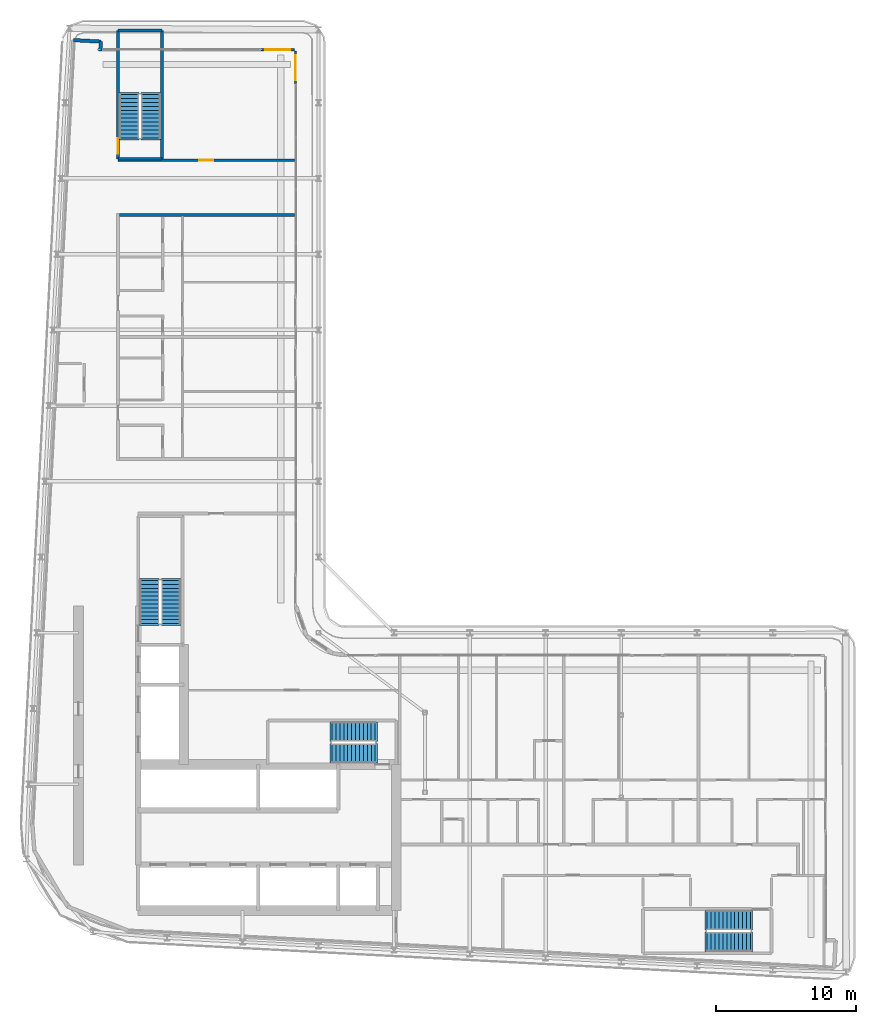
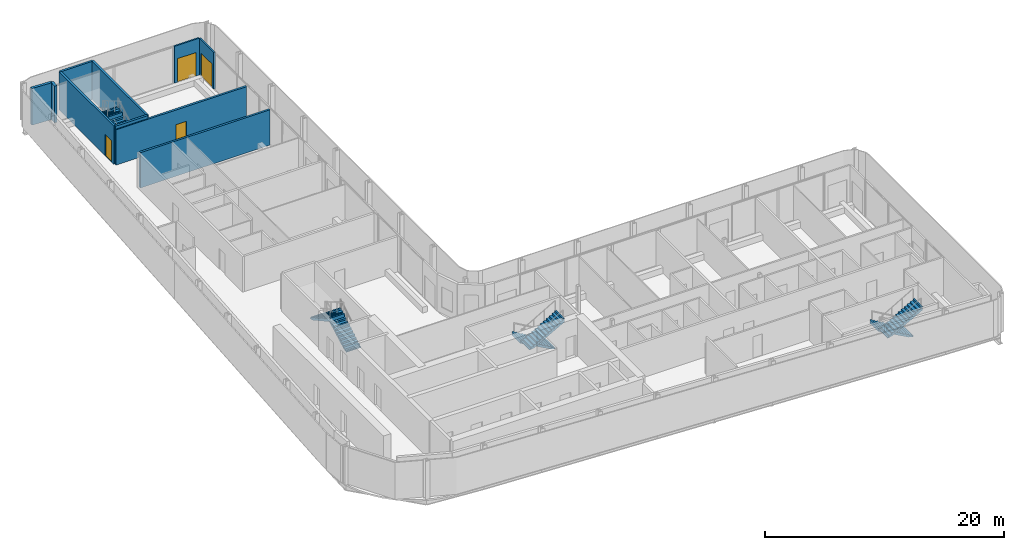
# One storey, part 14 of 21: 10 walls, 8 stair flights, 4 doors, 4 openings, 4 elements without a shape of their own.
"""IFC4 building model written with IfcOpenShell, lengths in metres."""

from ifc_helpers import new_model, si_unit, direction, frame, frame_2d, origin, place, context, subcontext, project, spatial, polyline, rectangle, outline, extrude, source, transform, mapped, material, layer, layer_set, type_object, element, fill, aggregate, save


model = new_model("IFC4")

# Units and contexts
model_context = context("Model", 3, precision=1e-05, world=origin(), true_north=direction((0.0, 1.0)))
body_context = subcontext(model_context, "Body", "Model", "MODEL_VIEW")
ifc_project = project(units=[si_unit("LENGTHUNIT", "METRE"), si_unit("AREAUNIT", "SQUARE_METRE"), si_unit("VOLUMEUNIT", "CUBIC_METRE"), si_unit("PLANEANGLEUNIT", "RADIAN"), si_unit("MASSUNIT", "GRAM", prefix="KILO")], contexts=[model_context])

# Site, building, storey
site_placement = place(None, origin())
site = spatial("IfcSite", under=ifc_project, at=site_placement, CompositionType="ELEMENT")
building_placement = place(site_placement, origin())
building = spatial("IfcBuilding", under=site, at=building_placement, Name="Kheshtan School and Residences Tower", CompositionType="ELEMENT")
storey_placement = place(building_placement, frame((0.0, 0.0, 220.10009765625)))
storey = spatial("IfcBuildingStorey", under=building, at=storey_placement, Name="L51", CompositionType="ELEMENT", Elevation=220.10009765625)

# Wall, opening, door
ifc_material_1 = material(Name="Gypsum board on steel studs with fire boards", Category="steel")
ifc_layer_1 = layer(ifc_material_1, 0.199951171875)
ifc_layer_set_1 = layer_set([ifc_layer_1], Name="Corridor wall 200")
wall_type_1 = type_object("IfcWallType", Name="Corridor wall 200", PredefinedType="PARTITIONING", material=ifc_layer_set_1)
wall_1_placement = place(storey_placement, frame((33.300048828125, 79.300048828125, 0.0), z_axis=(0.0, 0.0, 1.0), x_axis=(1.0, 0.0, 0.0)))
wall_1 = element("IfcWall", 1, at=wall_1_placement, inside=storey, type_object=wall_type_1, Name="Partition L51-002", PredefinedType="PARTITIONING", context=body_context, shape_type="SweptSolid", body=[
    extrude(rectangle(XDim=12.599853515625, YDim=0.199951171875, at=frame_2d((6.2998046875, 0.0))), origin(), (0.0, 0.0, 1.0), 3.599853515625),
])
opening_1_placement = place(wall_1_placement, frame((5.794921875, 0.0, 0.0)))
opening_1 = element("IfcOpeningElement", 2, at=opening_1_placement, cuts=wall_1, Name="Opening D50-038", PredefinedType="OPENING", context=body_context, shape_type="SweptSolid", body=[
    extrude(rectangle(XDim=1.0, YDim=2.10009765625, at=frame_2d((0.5, 1.050048828125))), frame((0.0, 0.10986328125, 0.0), z_axis=(0.0, -1.0, 0.0), x_axis=(1.0, 0.0, 0.0)), (0.0, 0.0, 1.0), 0.219970703125),
])
ifc_material_2 = material(Name="Steel-framed fire-resisting door leaf", Category="steel")
door_type_1 = type_object("IfcDoorType", Name="Fire door FD60 1000 x 2100", OperationType="SINGLE_SWING_LEFT", PredefinedType="DOOR", material=ifc_material_2)
shared_shape_1 = source(origin(), body_context, "Body", "SweptSolid", [
    extrude(rectangle(XDim=1.0, YDim=2.10009765625, at=frame_2d((0.5, 1.050048828125))), frame((0.0, 0.02490234375, 0.0), z_axis=(0.0, -1.0, 0.0), x_axis=(1.0, 0.0, 0.0)), (0.0, 0.0, 1.0), 0.050048828125),
])
door_1_placement = place(opening_1_placement, origin())
door_1 = element("IfcDoor", 3, at=door_1_placement, inside=storey, type_object=door_type_1, Name="Door D50-038", OperationType="SINGLE_SWING_RIGHT", OverallHeight=2.10009765625, OverallWidth=1.0, PredefinedType="DOOR", context=body_context, shape_type="MappedRepresentation", body=[
    mapped(shared_shape_1, transform((0.0, 0.0, 0.0), x_axis=(1.0, 0.0, 0.0), y_axis=(0.0, 1.0, 0.0), z_axis=(0.0, 0.0, 1.0), scale=1.0)),
])
fill(opening_1, door_1)

# Walls
wall_2_placement = place(storey_placement, frame((33.39990234375, 75.39990234375, 0.0), z_axis=(0.0, 0.0, 1.0), x_axis=(1.0, 0.0, 0.0)))
element("IfcWall", 4, at=wall_2_placement, inside=storey, type_object=wall_type_1, Name="Partition L51-011", PredefinedType="PARTITIONING", context=body_context, shape_type="SweptSolid", body=[
    extrude(rectangle(XDim=12.5, YDim=0.199951171875, at=frame_2d((6.25, 0.0))), origin(), (0.0, 0.0, 1.0), 3.599853515625),
])
ifc_material_3 = material(Name="Concrete C40/50 with ceramic cladding and mineral wool insulation", Category="concrete")
ifc_layer_2 = layer(ifc_material_3, 0.25)
ifc_layer_set_2 = layer_set([ifc_layer_2], Name="External wall 250 ceramic clad")
wall_type_2 = type_object("IfcWallType", Name="External wall 250 ceramic clad", PredefinedType="SOLIDWALL", material=ifc_layer_set_2)
wall_3_placement = place(storey_placement, frame((30.136962890625, 87.864013671875, 0.0), z_axis=(0.0, 0.0, 1.0), x_axis=(0.998577785791, -0.053314216913, 0.0)))
element("IfcWall", 5, at=wall_3_placement, inside=storey, type_object=wall_type_2, Name="External wall L51 1", PredefinedType="SOLIDWALL", context=body_context, shape_type="SweptSolid", body=[
    extrude(rectangle(XDim=1.95068359375, YDim=0.25, at=frame_2d((0.975341796875, 0.0))), origin(), (0.0, 0.0, 1.0), 3.75),
])
wall_4_placement = place(storey_placement, frame((32.0849609375, 87.760009765625, 0.0), z_axis=(0.0, 0.0, 1.0), x_axis=(-0.053729014033, -0.998555553312, 0.0)))
element("IfcWall", 6, at=wall_4_placement, inside=storey, type_object=wall_type_2, Name="External wall L51 2", PredefinedType="SOLIDWALL", context=body_context, shape_type="SweptSolid", body=[
    extrude(rectangle(XDim=0.66796875, YDim=0.25, at=frame_2d((0.333984375, 0.0))), origin(), (0.0, 0.0, 1.0), 3.75),
])

# Wall, opening, door
ifc_material_4 = material(Name="Aluminium frame wall with insulated infill", Category="aluminium")
ifc_layer_3 = layer(ifc_material_4, 0.14990234375)
ifc_layer_set_3 = layer_set([ifc_layer_3], Name="Glazing frame wall 150")
wall_type_3 = type_object("IfcWallType", Name="Glazing frame wall 150", PredefinedType="SOLIDWALL", material=ifc_layer_set_3)
wall_5_placement = place(storey_placement, frame((43.5, 87.175048828125, 0.0), z_axis=(0.0, 0.0, 1.0), x_axis=(1.0, 0.0, 0.0)))
wall_5 = element("IfcWall", 7, at=wall_5_placement, inside=storey, type_object=wall_type_3, Name="Balcony door wall L51 3.1", PredefinedType="SOLIDWALL", context=body_context, shape_type="SweptSolid", body=[
    extrude(rectangle(XDim=2.39990234375, YDim=0.14990234375, at=frame_2d((1.199951171875, 0.0))), origin(), (0.0, 0.0, 1.0), 3.75),
])
opening_2_placement = place(wall_5_placement, frame((0.300048828125, 0.0, 0.0)))
opening_2 = element("IfcOpeningElement", 8, at=opening_2_placement, cuts=wall_5, Name="Opening BD", PredefinedType="OPENING", context=body_context, shape_type="SweptSolid", body=[
    extrude(rectangle(XDim=1.800048828125, YDim=2.39990234375, at=frame_2d((0.89990234375, 1.199951171875))), frame((0.0, 0.0849609375, 0.0), z_axis=(0.0, -1.0, 0.0), x_axis=(1.0, 0.0, 0.0)), (0.0, 0.0, 1.0), 0.169921875),
])
ifc_material_5 = material(Name="Clear low-e glass in thermally broken aluminium frame", Category="aluminium")
door_type_2 = type_object("IfcDoorType", Name="Balcony sliding door", OperationType="SLIDING_TO_LEFT", PredefinedType="DOOR", material=ifc_material_5)
shared_shape_2 = source(origin(), body_context, "Body", "SweptSolid", [
    extrude(rectangle(XDim=1.800048828125, YDim=2.39990234375, at=frame_2d((0.89990234375, 1.199951171875))), frame((0.0, 0.02490234375, 0.0), z_axis=(0.0, -1.0, 0.0), x_axis=(1.0, 0.0, 0.0)), (0.0, 0.0, 1.0), 0.050048828125),
])
door_2_placement = place(opening_2_placement, origin())
door_2 = element("IfcDoor", 9, at=door_2_placement, inside=storey, type_object=door_type_2, Name="Balcony door L51 3.1", OperationType="SLIDING_TO_LEFT", OverallHeight=2.39990234375, OverallWidth=1.800048828125, PredefinedType="DOOR", context=body_context, shape_type="MappedRepresentation", body=[
    mapped(shared_shape_2, transform((0.0, 0.0, 0.0), x_axis=(1.0, 0.0, 0.0), y_axis=(0.0, 1.0, 0.0), z_axis=(0.0, 0.0, 1.0), scale=1.0)),
])
fill(opening_2, door_2)

wall_6_placement = place(storey_placement, frame((45.97509765625, 87.10009765625, 0.0), z_axis=(0.0, 0.0, 1.0), x_axis=(0.0, -1.0, 0.0)))
wall_6 = element("IfcWall", 10, at=wall_6_placement, inside=storey, type_object=wall_type_3, Name="Balcony door wall L51 4.1", PredefinedType="SOLIDWALL", context=body_context, shape_type="SweptSolid", body=[
    extrude(rectangle(XDim=2.400146484375, YDim=0.14990234375, at=frame_2d((1.2001953125, 0.0))), origin(), (0.0, 0.0, 1.0), 3.75),
])
opening_3_placement = place(wall_6_placement, frame((0.300048828125, 0.0, 0.0)))
opening_3 = element("IfcOpeningElement", 11, at=opening_3_placement, cuts=wall_6, Name="Opening BD", PredefinedType="OPENING", context=body_context, shape_type="SweptSolid", body=[
    extrude(rectangle(XDim=1.800048828125, YDim=2.39990234375, at=frame_2d((0.89990234375, 1.199951171875))), frame((0.0, 0.0849609375, 0.0), z_axis=(0.0, -1.0, 0.0), x_axis=(1.0, 0.0, 0.0)), (0.0, 0.0, 1.0), 0.169921875),
])
door_3_placement = place(opening_3_placement, origin())
door_3 = element("IfcDoor", 12, at=door_3_placement, inside=storey, type_object=door_type_2, Name="Balcony door L51 4.1", OperationType="SLIDING_TO_LEFT", OverallHeight=2.39990234375, OverallWidth=1.800048828125, PredefinedType="DOOR", context=body_context, shape_type="MappedRepresentation", body=[
    mapped(shared_shape_2, transform((0.0, 0.0, 0.0), x_axis=(1.0, 0.0, 0.0), y_axis=(0.0, 1.0, 0.0), z_axis=(0.0, 0.0, 1.0), scale=1.0)),
])
fill(opening_3, door_3)

# Walls
ifc_material_6 = material(Name="Concrete C40/50", Category="concrete")
ifc_layer_4 = layer(ifc_material_6, 0.199951171875)
ifc_layer_set_4 = layer_set([ifc_layer_4], Name="Stair enclosure wall 200 Concrete C40/50")
wall_type_4 = type_object("IfcWallType", Name="Stair enclosure wall 200 Concrete C40/50", PredefinedType="SHEAR", material=ifc_layer_set_4)
for number, where, z_axis, x_axis, name in (
    (13, (33.300048828125, 79.39990234375, 0.0), (0.0, 0.0, 1.0), (1.0, 0.0, 0.0), "Stair enclosure wall ST3"),
    (14, (33.300048828125, 88.56005859375, 0.0), (0.0, 0.0, 1.0), (1.0, 0.0, 0.0), "Stair enclosure wall ST3"),
):
    element("IfcWall", number, at=place(storey_placement, frame(where, z_axis=z_axis, x_axis=x_axis)), inside=storey, type_object=wall_type_4, Name=name, PredefinedType="SHEAR", context=body_context, shape_type="SweptSolid", body=[
        extrude(rectangle(XDim=3.14990234375, YDim=0.199951171875, at=frame_2d((1.574951171875, 0.0))), origin(), (0.0, 0.0, 1.0), 3.89990234375),
    ])

# Wall, opening, door
wall_7_placement = place(storey_placement, frame((33.300048828125, 79.39990234375, 0.0), z_axis=(0.0, 0.0, 1.0), x_axis=(0.0, 1.0, 0.0)))
wall_7 = element("IfcWall", 15, at=wall_7_placement, inside=storey, type_object=wall_type_4, Name="Stair enclosure wall ST3", PredefinedType="SHEAR", context=body_context, shape_type="SweptSolid", body=[
    extrude(rectangle(XDim=9.16015625, YDim=0.199951171875, at=frame_2d((4.580078125, 0.0))), origin(), (0.0, 0.0, 1.0), 3.89990234375),
])
opening_4_placement = place(wall_7_placement, frame((0.35009765625, 0.0, 0.0)))
opening_4 = element("IfcOpeningElement", 16, at=opening_4_placement, cuts=wall_7, Name="Opening ST3D", PredefinedType="OPENING", context=body_context, shape_type="SweptSolid", body=[
    extrude(rectangle(XDim=1.10009765625, YDim=2.199951171875, at=frame_2d((0.550048828125, 1.10009765625))), frame((0.0, 0.10986328125, 0.0), z_axis=(0.0, -1.0, 0.0), x_axis=(1.0, 0.0, 0.0)), (0.0, 0.0, 1.0), 0.219970703125),
])
ifc_material_7 = material(Name="Steel door leaf, galvanised", Category="steel")
door_type_3 = type_object("IfcDoorType", Name="Stair door 1100 steel 90 min", OperationType="SINGLE_SWING_LEFT", PredefinedType="DOOR", material=ifc_material_7)
shared_shape_3 = source(origin(), body_context, "Body", "SweptSolid", [
    extrude(rectangle(XDim=1.10009765625, YDim=2.199951171875, at=frame_2d((0.550048828125, 1.10009765625))), frame((0.0, 0.02490234375, 0.0), z_axis=(0.0, -1.0, 0.0), x_axis=(1.0, 0.0, 0.0)), (0.0, 0.0, 1.0), 0.050048828125),
])
door_4_placement = place(opening_4_placement, origin())
door_4 = element("IfcDoor", 17, at=door_4_placement, inside=storey, type_object=door_type_3, Name="Stair ST3 door", OperationType="SINGLE_SWING_RIGHT", OverallHeight=2.199951171875, OverallWidth=1.10009765625, PredefinedType="DOOR", context=body_context, shape_type="MappedRepresentation", body=[
    mapped(shared_shape_3, transform((0.0, 0.0, 0.0), x_axis=(1.0, 0.0, 0.0), y_axis=(0.0, 1.0, 0.0), z_axis=(0.0, 0.0, 1.0), scale=1.0)),
])
fill(opening_4, door_4)

# Wall
wall_8_placement = place(storey_placement, frame((36.449951171875, 79.39990234375, 0.0), z_axis=(0.0, 0.0, 1.0), x_axis=(0.0, 1.0, 0.0)))
element("IfcWall", 18, at=wall_8_placement, inside=storey, type_object=wall_type_4, Name="Stair enclosure wall ST3", PredefinedType="SHEAR", context=body_context, shape_type="SweptSolid", body=[
    extrude(rectangle(XDim=9.16015625, YDim=0.199951171875, at=frame_2d((4.580078125, 0.0))), origin(), (0.0, 0.0, 1.0), 3.89990234375),
])

# Stair, stair flights
stair_type = type_object("IfcStairType", Name="Exit stair, half-turn", PredefinedType="HALF_TURN_STAIR", material=ifc_material_6)
stair_1_placement = place(storey_placement, origin())
stair_1 = element("IfcStair", 19, at=stair_1_placement, inside=storey, type_object=stair_type, Name="L51 Protected Exit Stair ST1", PredefinedType="HALF_TURN_STAIR")
ifc_layer_5 = layer(ifc_material_6, 0.14990234375)
ifc_layer_set_5 = layer_set([ifc_layer_5], Name="Stair flight 1400 Concrete C40/50")
stair_flight_type = type_object("IfcStairFlightType", Name="Stair flight 1400 Concrete C40/50", PredefinedType="STRAIGHT", material=ifc_layer_set_5)
stair_flight_1_placement = place(storey_placement, frame((51.64990234375, 38.550048828125, 0.0), z_axis=(0.0, 0.0, 1.0), x_axis=(-1.0, 0.0, 0.0)))
stair_flight_1 = element("IfcStairFlight", 20, at=stair_flight_1_placement, type_object=stair_flight_type, Name="ST1 flight 1", NumberOfRisers=12, NumberOfTreads=11, PredefinedType="STRAIGHT", RiserHeight=0.1625, TreadLength=0.28, context=body_context, shape_type="SweptSolid", body=[
    extrude(outline(polyline([(-0.14990234375, -0.10009765625), (-0.14990234375, 0.0), (0.0, 0.0), (0.0, 0.16259765625), (0.280029296875, 0.16259765625), (0.280029296875, 0.324951171875), (0.56005859375, 0.324951171875), (0.56005859375, 0.487548828125), (0.840087890625, 0.487548828125), (0.840087890625, 0.64990234375), (1.1201171875, 0.64990234375), (1.1201171875, 0.8125), (1.39990234375, 0.8125), (1.39990234375, 0.97509765625), (1.679931640625, 0.97509765625), (1.679931640625, 1.137451171875), (1.9599609375, 1.137451171875), (1.9599609375, 1.300048828125), (2.239990234375, 1.300048828125), (2.239990234375, 1.46240234375), (2.52001953125, 1.46240234375), (2.52001953125, 1.625), (2.800048828125, 1.625), (2.800048828125, 1.78759765625), (3.080078125, 1.78759765625), (3.080078125, 1.949951171875), (3.080078125, 1.969970703125), (3.22998046875, 1.969970703125), (3.22998046875, 1.6142578125), (0.298583984375, 0.0), (-0.14990234375, -0.10009765625)])), frame((0.0, 0.699951171875, 0.0), z_axis=(0.0, -1.0, 0.0), x_axis=(1.0, 0.0, 0.0)), (0.0, 0.0, 1.0), 1.39990234375),
])
stair_flight_2_placement = place(storey_placement, frame((48.570068359375, 37.0, 1.949951171875), z_axis=(0.0, 0.0, 1.0), x_axis=(1.0, 0.0, 0.0)))
stair_flight_2 = element("IfcStairFlight", 21, at=stair_flight_2_placement, type_object=stair_flight_type, Name="ST1 flight 2", NumberOfRisers=12, NumberOfTreads=11, PredefinedType="STRAIGHT", RiserHeight=0.1625, TreadLength=0.28, context=body_context, shape_type="SweptSolid", body=[
    extrude(outline(polyline([(-0.14990234375, -0.10009765625), (-0.14990234375, 0.0), (0.0, 0.0), (0.0, 0.16259765625), (0.280029296875, 0.16259765625), (0.280029296875, 0.324951171875), (0.56005859375, 0.324951171875), (0.56005859375, 0.487548828125), (0.840087890625, 0.487548828125), (0.840087890625, 0.64990234375), (1.1201171875, 0.64990234375), (1.1201171875, 0.8125), (1.39990234375, 0.8125), (1.39990234375, 0.97509765625), (1.679931640625, 0.97509765625), (1.679931640625, 1.137451171875), (1.9599609375, 1.137451171875), (1.9599609375, 1.300048828125), (2.239990234375, 1.300048828125), (2.239990234375, 1.46240234375), (2.52001953125, 1.46240234375), (2.52001953125, 1.625), (2.800048828125, 1.625), (2.800048828125, 1.78759765625), (3.080078125, 1.78759765625), (3.080078125, 1.949951171875), (3.080078125, 1.969970703125), (3.22998046875, 1.969970703125), (3.22998046875, 1.6142578125), (0.298583984375, 0.0), (-0.14990234375, -0.10009765625)])), frame((0.0, 0.699951171875, 0.0), z_axis=(0.0, -1.0, 0.0), x_axis=(1.0, 0.0, 0.0)), (0.0, 0.0, 1.0), 1.39990234375),
])
aggregate(stair_1, [stair_flight_1, stair_flight_2])

stair_2_placement = place(storey_placement, origin())
stair_2 = element("IfcStair", 22, at=stair_2_placement, inside=storey, type_object=stair_type, Name="L51 Protected Exit Stair ST2", PredefinedType="HALF_TURN_STAIR")
stair_flight_3_placement = place(storey_placement, frame((37.10009765625, 46.25, 0.0), z_axis=(0.0, 0.0, 1.0), x_axis=(0.0, 1.0, 0.0)))
stair_flight_3 = element("IfcStairFlight", 23, at=stair_flight_3_placement, type_object=stair_flight_type, Name="ST2 flight 1", NumberOfRisers=12, NumberOfTreads=11, PredefinedType="STRAIGHT", RiserHeight=0.1625, TreadLength=0.28, context=body_context, shape_type="SweptSolid", body=[
    extrude(outline(polyline([(-0.14990234375, -0.10009765625), (-0.14990234375, 0.0), (0.0, 0.0), (0.0, 0.16259765625), (0.280029296875, 0.16259765625), (0.280029296875, 0.324951171875), (0.56005859375, 0.324951171875), (0.56005859375, 0.487548828125), (0.840087890625, 0.487548828125), (0.840087890625, 0.64990234375), (1.1201171875, 0.64990234375), (1.1201171875, 0.8125), (1.39990234375, 0.8125), (1.39990234375, 0.97509765625), (1.679931640625, 0.97509765625), (1.679931640625, 1.137451171875), (1.9599609375, 1.137451171875), (1.9599609375, 1.300048828125), (2.239990234375, 1.300048828125), (2.239990234375, 1.46240234375), (2.52001953125, 1.46240234375), (2.52001953125, 1.625), (2.800048828125, 1.625), (2.800048828125, 1.78759765625), (3.080078125, 1.78759765625), (3.080078125, 1.949951171875), (3.080078125, 1.969970703125), (3.22998046875, 1.969970703125), (3.22998046875, 1.6142578125), (0.298583984375, 0.0), (-0.14990234375, -0.10009765625)])), frame((0.0, 0.699951171875, 0.0), z_axis=(0.0, -1.0, 0.0), x_axis=(1.0, 0.0, 0.0)), (0.0, 0.0, 1.0), 1.39990234375),
])
stair_flight_4_placement = place(storey_placement, frame((35.550048828125, 49.330078125, 1.949951171875), z_axis=(0.0, 0.0, 1.0), x_axis=(0.0, -1.0, 0.0)))
stair_flight_4 = element("IfcStairFlight", 24, at=stair_flight_4_placement, type_object=stair_flight_type, Name="ST2 flight 2", NumberOfRisers=12, NumberOfTreads=11, PredefinedType="STRAIGHT", RiserHeight=0.1625, TreadLength=0.28, context=body_context, shape_type="SweptSolid", body=[
    extrude(outline(polyline([(-0.14990234375, -0.10009765625), (-0.14990234375, 0.0), (0.0, 0.0), (0.0, 0.16259765625), (0.280029296875, 0.16259765625), (0.280029296875, 0.324951171875), (0.56005859375, 0.324951171875), (0.56005859375, 0.487548828125), (0.840087890625, 0.487548828125), (0.840087890625, 0.64990234375), (1.1201171875, 0.64990234375), (1.1201171875, 0.8125), (1.39990234375, 0.8125), (1.39990234375, 0.97509765625), (1.679931640625, 0.97509765625), (1.679931640625, 1.137451171875), (1.9599609375, 1.137451171875), (1.9599609375, 1.300048828125), (2.239990234375, 1.300048828125), (2.239990234375, 1.46240234375), (2.52001953125, 1.46240234375), (2.52001953125, 1.625), (2.800048828125, 1.625), (2.800048828125, 1.78759765625), (3.080078125, 1.78759765625), (3.080078125, 1.949951171875), (3.080078125, 1.969970703125), (3.22998046875, 1.969970703125), (3.22998046875, 1.6142578125), (0.298583984375, 0.0), (-0.14990234375, -0.10009765625)])), frame((0.0, 0.699951171875, 0.0), z_axis=(0.0, -1.0, 0.0), x_axis=(1.0, 0.0, 0.0)), (0.0, 0.0, 1.0), 1.39990234375),
])
aggregate(stair_2, [stair_flight_3, stair_flight_4])

stair_3_placement = place(storey_placement, origin())
stair_3 = element("IfcStair", 25, at=stair_3_placement, inside=storey, type_object=stair_type, Name="L51 Protected Exit Stair ST3", PredefinedType="HALF_TURN_STAIR")
stair_flight_5_placement = place(storey_placement, frame((35.64990234375, 80.89990234375, 0.0), z_axis=(0.0, 0.0, 1.0), x_axis=(0.0, 1.0, 0.0)))
stair_flight_5 = element("IfcStairFlight", 26, at=stair_flight_5_placement, type_object=stair_flight_type, Name="ST3 flight 1", NumberOfRisers=12, NumberOfTreads=11, PredefinedType="STRAIGHT", RiserHeight=0.1625, TreadLength=0.28, context=body_context, shape_type="SweptSolid", body=[
    extrude(outline(polyline([(-0.14990234375, -0.10009765625), (-0.14990234375, 0.0), (0.0, 0.0), (0.0, 0.16259765625), (0.280029296875, 0.16259765625), (0.280029296875, 0.324951171875), (0.56005859375, 0.324951171875), (0.56005859375, 0.487548828125), (0.840087890625, 0.487548828125), (0.840087890625, 0.64990234375), (1.1201171875, 0.64990234375), (1.1201171875, 0.8125), (1.39990234375, 0.8125), (1.39990234375, 0.97509765625), (1.679931640625, 0.97509765625), (1.679931640625, 1.137451171875), (1.9599609375, 1.137451171875), (1.9599609375, 1.300048828125), (2.239990234375, 1.300048828125), (2.239990234375, 1.46240234375), (2.52001953125, 1.46240234375), (2.52001953125, 1.625), (2.800048828125, 1.625), (2.800048828125, 1.78759765625), (3.080078125, 1.78759765625), (3.080078125, 1.949951171875), (3.080078125, 1.969970703125), (3.22998046875, 1.969970703125), (3.22998046875, 1.6142578125), (0.298583984375, 0.0), (-0.14990234375, -0.10009765625)])), frame((0.0, 0.699951171875, 0.0), z_axis=(0.0, -1.0, 0.0), x_axis=(1.0, 0.0, 0.0)), (0.0, 0.0, 1.0), 1.39990234375),
])
stair_flight_6_placement = place(storey_placement, frame((34.10009765625, 83.97998046875, 1.949951171875), z_axis=(0.0, 0.0, 1.0), x_axis=(0.0, -1.0, 0.0)))
stair_flight_6 = element("IfcStairFlight", 27, at=stair_flight_6_placement, type_object=stair_flight_type, Name="ST3 flight 2", NumberOfRisers=12, NumberOfTreads=11, PredefinedType="STRAIGHT", RiserHeight=0.1625, TreadLength=0.28, context=body_context, shape_type="SweptSolid", body=[
    extrude(outline(polyline([(-0.14990234375, -0.10009765625), (-0.14990234375, 0.0), (0.0, 0.0), (0.0, 0.16259765625), (0.280029296875, 0.16259765625), (0.280029296875, 0.324951171875), (0.56005859375, 0.324951171875), (0.56005859375, 0.487548828125), (0.840087890625, 0.487548828125), (0.840087890625, 0.64990234375), (1.1201171875, 0.64990234375), (1.1201171875, 0.8125), (1.39990234375, 0.8125), (1.39990234375, 0.97509765625), (1.679931640625, 0.97509765625), (1.679931640625, 1.137451171875), (1.9599609375, 1.137451171875), (1.9599609375, 1.300048828125), (2.239990234375, 1.300048828125), (2.239990234375, 1.46240234375), (2.52001953125, 1.46240234375), (2.52001953125, 1.625), (2.800048828125, 1.625), (2.800048828125, 1.78759765625), (3.080078125, 1.78759765625), (3.080078125, 1.949951171875), (3.080078125, 1.969970703125), (3.22998046875, 1.969970703125), (3.22998046875, 1.6142578125), (0.298583984375, 0.0), (-0.14990234375, -0.10009765625)])), frame((0.0, 0.699951171875, 0.0), z_axis=(0.0, -1.0, 0.0), x_axis=(1.0, 0.0, 0.0)), (0.0, 0.0, 1.0), 1.39990234375),
])
aggregate(stair_3, [stair_flight_5, stair_flight_6])

stair_4_placement = place(storey_placement, origin())
stair_4 = element("IfcStair", 28, at=stair_4_placement, inside=storey, type_object=stair_type, Name="L51 Protected Exit Stair ST5", PredefinedType="HALF_TURN_STAIR")
stair_flight_7_placement = place(storey_placement, frame((78.409912109375, 25.10009765625, 0.0), z_axis=(0.0, 0.0, 1.0), x_axis=(-1.0, 0.0, 0.0)))
stair_flight_7 = element("IfcStairFlight", 29, at=stair_flight_7_placement, type_object=stair_flight_type, Name="ST5 flight 1", NumberOfRisers=12, NumberOfTreads=11, PredefinedType="STRAIGHT", RiserHeight=0.1625, TreadLength=0.28, context=body_context, shape_type="SweptSolid", body=[
    extrude(outline(polyline([(-0.14990234375, -0.10009765625), (-0.14990234375, 0.0), (0.0, 0.0), (0.0, 0.16259765625), (0.280029296875, 0.16259765625), (0.280029296875, 0.324951171875), (0.56005859375, 0.324951171875), (0.56005859375, 0.487548828125), (0.840087890625, 0.487548828125), (0.840087890625, 0.64990234375), (1.1201171875, 0.64990234375), (1.1201171875, 0.8125), (1.39990234375, 0.8125), (1.39990234375, 0.97509765625), (1.679931640625, 0.97509765625), (1.679931640625, 1.137451171875), (1.9599609375, 1.137451171875), (1.9599609375, 1.300048828125), (2.239990234375, 1.300048828125), (2.239990234375, 1.46240234375), (2.52001953125, 1.46240234375), (2.52001953125, 1.625), (2.800048828125, 1.625), (2.800048828125, 1.78759765625), (3.080078125, 1.78759765625), (3.080078125, 1.949951171875), (3.080078125, 1.969970703125), (3.22998046875, 1.969970703125), (3.22998046875, 1.6142578125), (0.298583984375, 0.0), (-0.14990234375, -0.10009765625)])), frame((0.0, 0.699951171875, 0.0), z_axis=(0.0, -1.0, 0.0), x_axis=(1.0, 0.0, 0.0)), (0.0, 0.0, 1.0), 1.39990234375),
])
stair_flight_8_placement = place(storey_placement, frame((75.330078125, 23.550048828125, 1.949951171875), z_axis=(0.0, 0.0, 1.0), x_axis=(1.0, 0.0, 0.0)))
stair_flight_8 = element("IfcStairFlight", 30, at=stair_flight_8_placement, type_object=stair_flight_type, Name="ST5 flight 2", NumberOfRisers=12, NumberOfTreads=11, PredefinedType="STRAIGHT", RiserHeight=0.1625, TreadLength=0.28, context=body_context, shape_type="SweptSolid", body=[
    extrude(outline(polyline([(-0.14990234375, -0.10009765625), (-0.14990234375, 0.0), (0.0, 0.0), (0.0, 0.16259765625), (0.280029296875, 0.16259765625), (0.280029296875, 0.324951171875), (0.56005859375, 0.324951171875), (0.56005859375, 0.487548828125), (0.840087890625, 0.487548828125), (0.840087890625, 0.64990234375), (1.1201171875, 0.64990234375), (1.1201171875, 0.8125), (1.39990234375, 0.8125), (1.39990234375, 0.97509765625), (1.679931640625, 0.97509765625), (1.679931640625, 1.137451171875), (1.9599609375, 1.137451171875), (1.9599609375, 1.300048828125), (2.239990234375, 1.300048828125), (2.239990234375, 1.46240234375), (2.52001953125, 1.46240234375), (2.52001953125, 1.625), (2.800048828125, 1.625), (2.800048828125, 1.78759765625), (3.080078125, 1.78759765625), (3.080078125, 1.949951171875), (3.080078125, 1.969970703125), (3.22998046875, 1.969970703125), (3.22998046875, 1.6142578125), (0.298583984375, 0.0), (-0.14990234375, -0.10009765625)])), frame((0.0, 0.699951171875, 0.0), z_axis=(0.0, -1.0, 0.0), x_axis=(1.0, 0.0, 0.0)), (0.0, 0.0, 1.0), 1.39990234375),
])
aggregate(stair_4, [stair_flight_7, stair_flight_8])

save(model, "model.ifc")
